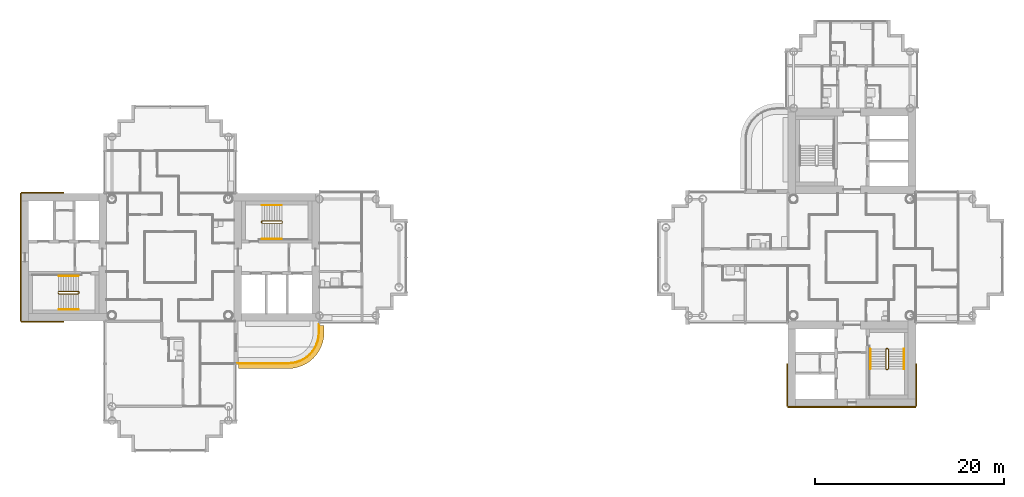
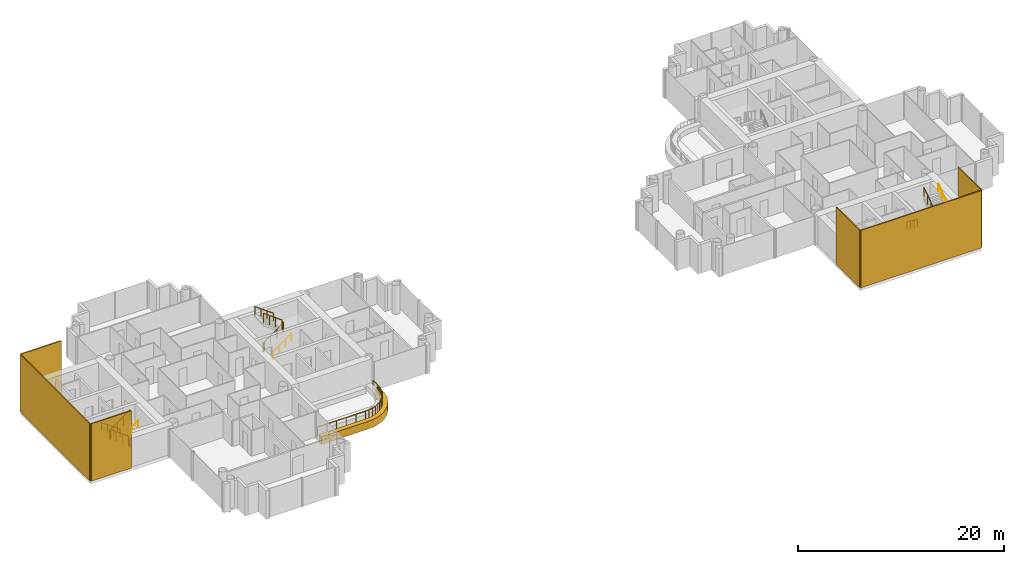
# One storey, part 18 of 20: 10 railings, 7 coverings.
"""IFC4 building model written with IfcOpenShell, lengths in metres."""

from ifc_helpers import new_model, si_unit, direction, frame, origin, origin_2d, place, context, subcontext, project, spatial, polyline, rectangle, circle, outline, extrude, material, layer, layer_set, type_object, element, save


model = new_model("IFC4")

# Units and contexts
model_context = context("Model", 3, precision=1e-05, world=origin(), true_north=direction((0.0, 1.0)))
body_context = subcontext(model_context, "Body", "Model", "MODEL_VIEW")
ifc_project = project(units=[si_unit("LENGTHUNIT", "METRE"), si_unit("AREAUNIT", "SQUARE_METRE"), si_unit("VOLUMEUNIT", "CUBIC_METRE"), si_unit("PLANEANGLEUNIT", "RADIAN"), si_unit("MASSUNIT", "GRAM", prefix="KILO")], contexts=[model_context])

# Site, building, storey
site_placement = place(None, origin())
site = spatial("IfcSite", under=ifc_project, at=site_placement, CompositionType="ELEMENT")
building_placement = place(site_placement, origin())
building = spatial("IfcBuilding", under=site, at=building_placement, Name="Ipe Terrace Towers", CompositionType="ELEMENT")
storey_placement = place(building_placement, frame((0.0, 0.0, 167.699951171875)))
storey = spatial("IfcBuildingStorey", under=building, at=storey_placement, Name="L46", CompositionType="ELEMENT", Elevation=167.699951171875)

# Railing
ifc_material_1 = material(Name="Stainless steel S316", Category="steel")
railing_type_1 = type_object("IfcRailingType", Name="GUARD 1100", PredefinedType="BALUSTRADE", material=ifc_material_1)
railing_1_placement = place(storey_placement, frame((-28.929931640625, -11.199951171875, -0.02001953125)))
element("IfcRailing", 1, at=railing_1_placement, inside=storey, type_object=railing_type_1, Name="guard", PredefinedType="BALUSTRADE", context=body_context, shape_type="SweptSolid", body=[
    extrude(circle(Radius=0.02392578125, at=origin_2d()), frame((0.0, 0.0, 1.076171875), z_axis=(1.0, 0.0, 0.0), x_axis=(0.0, 1.0, 0.0)), (0.0, 0.0, 1.0), 5.3779296875),
    extrude(circle(Radius=0.02392578125, at=origin_2d()), frame((5.3779296875, 0.0, 1.076171875), z_axis=(0.997872833927, 0.065190546171, 0.0), x_axis=(-0.065190546171, 0.997872833927, 0.0)), (0.0, 0.0, 1.0), 0.427001953125),
    extrude(circle(Radius=0.02392578125, at=origin_2d()), frame((5.803955078125, 0.02783203125, 1.076171875), z_axis=(0.980756958892, 0.195232649896, 0.0), x_axis=(-0.195232649896, 0.980756958892, 0.0)), (0.0, 0.0, 1.0), 0.42529296875),
    extrude(circle(Radius=0.02392578125, at=origin_2d()), frame((6.220947265625, 0.11083984375, 1.076171875), z_axis=(0.947355280148, 0.320184280026, 0.0), x_axis=(-0.320184280026, 0.947355280148, 0.0)), (0.0, 0.0, 1.0), 0.425537109375),
    extrude(circle(Radius=0.02392578125, at=origin_2d()), frame((6.6240234375, 0.2470703125, 1.076171875), z_axis=(0.895801099535, 0.444455160923, 0.0), x_axis=(-0.444455160923, 0.895801099535, 0.0)), (0.0, 0.0, 1.0), 0.425048828125),
    extrude(circle(Radius=0.02392578125, at=origin_2d()), frame((7.0048828125, 0.43603515625, 1.076171875), z_axis=(0.83151910003, 0.55549616226, 0.0), x_axis=(-0.55549616226, 0.83151910003, 0.0)), (0.0, 0.0, 1.0), 0.424560546875),
    extrude(circle(Radius=0.02392578125, at=origin_2d()), frame((7.35791015625, 0.671875, 1.076171875), z_axis=(0.752612255774, 0.658463964434, 0.0), x_axis=(-0.658463964434, 0.752612255774, 0.0)), (0.0, 0.0, 1.0), 0.42529296875),
    extrude(circle(Radius=0.02392578125, at=origin_2d()), frame((7.677978515625, 0.951904296875, 1.076171875), z_axis=(0.658463964434, 0.752612255774, 0.0), x_axis=(-0.752612255774, 0.658463964434, 0.0)), (0.0, 0.0, 1.0), 0.42529296875),
    extrude(circle(Radius=0.02392578125, at=origin_2d()), frame((7.9580078125, 1.27197265625, 1.076171875), z_axis=(0.55549616226, 0.83151910003, 0.0), x_axis=(-0.83151910003, 0.55549616226, 0.0)), (0.0, 0.0, 1.0), 0.424560546875),
    extrude(circle(Radius=0.02392578125, at=origin_2d()), frame((8.19384765625, 1.625, 1.076171875), z_axis=(0.444455160923, 0.895801099535, 0.0), x_axis=(-0.895801099535, 0.444455160923, 0.0)), (0.0, 0.0, 1.0), 0.425048828125),
    extrude(circle(Radius=0.02392578125, at=origin_2d()), frame((8.3828125, 2.005859375, 1.076171875), z_axis=(0.320184280026, 0.947355280148, 0.0), x_axis=(-0.947355280148, 0.320184280026, 0.0)), (0.0, 0.0, 1.0), 0.425537109375),
    extrude(circle(Radius=0.02392578125, at=origin_2d()), frame((8.51904296875, 2.408935546875, 1.076171875), z_axis=(0.195232649896, 0.980756958892, 0.0), x_axis=(-0.980756958892, 0.195232649896, 0.0)), (0.0, 0.0, 1.0), 0.42529296875),
    extrude(circle(Radius=0.02392578125, at=origin_2d()), frame((8.60205078125, 2.825927734375, 1.076171875), z_axis=(0.065190546171, 0.997872833927, 0.0), x_axis=(-0.997872833927, 0.065190546171, 0.0)), (0.0, 0.0, 1.0), 0.427001953125),
    extrude(circle(Radius=0.02392578125, at=origin_2d()), frame((8.6298828125, 3.251953125, 1.076171875), z_axis=(0.0, 1.0, 0.0), x_axis=(-1.0, 0.0, 0.0)), (0.0, 0.0, 1.0), 0.8779296875),
    extrude(circle(Radius=0.02099609375, at=origin_2d()), origin(), (0.0, 0.0, 1.0), 1.052001953125),
    extrude(circle(Radius=0.02099609375, at=origin_2d()), frame((1.07568359375, 0.0, 0.0)), (0.0, 0.0, 1.0), 1.052001953125),
    extrude(circle(Radius=0.02099609375, at=origin_2d()), frame((2.151123046875, 0.0, 0.0)), (0.0, 0.0, 1.0), 1.052001953125),
    extrude(circle(Radius=0.02099609375, at=origin_2d()), frame((3.226806640625, 0.0, 0.0)), (0.0, 0.0, 1.0), 1.052001953125),
    extrude(circle(Radius=0.02099609375, at=origin_2d()), frame((4.30224609375, 0.0, 0.0)), (0.0, 0.0, 1.0), 1.052001953125),
    extrude(circle(Radius=0.02099609375, at=origin_2d()), frame((5.3779296875, 0.0, 0.0)), (0.0, 0.0, 1.0), 1.052001953125),
    extrude(circle(Radius=0.02099609375, at=origin_2d()), frame((5.803955078125, 0.02783203125, 0.0)), (0.0, 0.0, 1.0), 1.052001953125),
    extrude(circle(Radius=0.02099609375, at=origin_2d()), frame((6.220947265625, 0.11083984375, 0.0)), (0.0, 0.0, 1.0), 1.052001953125),
    extrude(circle(Radius=0.02099609375, at=origin_2d()), frame((6.6240234375, 0.2470703125, 0.0)), (0.0, 0.0, 1.0), 1.052001953125),
    extrude(circle(Radius=0.02099609375, at=origin_2d()), frame((7.0048828125, 0.43603515625, 0.0)), (0.0, 0.0, 1.0), 1.052001953125),
    extrude(circle(Radius=0.02099609375, at=origin_2d()), frame((7.35791015625, 0.671875, 0.0)), (0.0, 0.0, 1.0), 1.052001953125),
    extrude(circle(Radius=0.02099609375, at=origin_2d()), frame((7.677978515625, 0.951904296875, 0.0)), (0.0, 0.0, 1.0), 1.052001953125),
    extrude(circle(Radius=0.02099609375, at=origin_2d()), frame((7.9580078125, 1.27197265625, 0.0)), (0.0, 0.0, 1.0), 1.052001953125),
    extrude(circle(Radius=0.02099609375, at=origin_2d()), frame((8.19384765625, 1.625, 0.0)), (0.0, 0.0, 1.0), 1.052001953125),
    extrude(circle(Radius=0.02099609375, at=origin_2d()), frame((8.3828125, 2.005859375, 0.0)), (0.0, 0.0, 1.0), 1.052001953125),
    extrude(circle(Radius=0.02099609375, at=origin_2d()), frame((8.51904296875, 2.408935546875, 0.0)), (0.0, 0.0, 1.0), 1.052001953125),
    extrude(circle(Radius=0.02099609375, at=origin_2d()), frame((8.60205078125, 2.825927734375, 0.0)), (0.0, 0.0, 1.0), 1.052001953125),
    extrude(circle(Radius=0.02099609375, at=origin_2d()), frame((8.6298828125, 3.251953125, 0.0)), (0.0, 0.0, 1.0), 1.052001953125),
    extrude(circle(Radius=0.02099609375, at=origin_2d()), frame((8.6298828125, 4.1298828125, 0.0)), (0.0, 0.0, 1.0), 1.052001953125),
])

# Coverings
ifc_material_2 = material(Name="Concrete C50/60 precast, buff finish", Category="concrete")
ifc_layer_1 = layer(ifc_material_2, 0.1201171875)
ifc_layer_set_1 = layer_set([ifc_layer_1], Name="STONE CORE CLADDING 120")
covering_type_1 = type_object("IfcCoveringType", Name="STONE CORE CLADDING 120", PredefinedType="CLADDING", material=ifc_layer_set_1)
covering_1_placement = place(storey_placement, frame((-49.5, -6.81005859375, 0.0), z_axis=(0.0, 0.0, 1.0), x_axis=(1.0, 0.0, 0.0)))
element("IfcCovering", 2, at=covering_1_placement, inside=storey, type_object=covering_type_1, Name="stone core cladding", PredefinedType="CLADDING", context=body_context, shape_type="SweptSolid", body=[
    extrude(rectangle(XDim=4.5, YDim=0.1201171875, at=origin_2d()), origin(), (0.0, 0.0, 1.0), 6.800048828125),
])
covering_2_placement = place(storey_placement, frame((-51.81005859375, 0.0, 0.0), z_axis=(0.0, 0.0, 1.0), x_axis=(0.0, -1.0, 0.0)))
element("IfcCovering", 3, at=covering_2_placement, inside=storey, type_object=covering_type_1, Name="stone core cladding", PredefinedType="CLADDING", context=body_context, shape_type="SweptSolid", body=[
    extrude(rectangle(XDim=13.5, YDim=0.1201171875, at=origin_2d()), origin(), (0.0, 0.0, 1.0), 6.800048828125),
])
covering_3_placement = place(storey_placement, frame((-49.5, 6.81005859375, 0.0), z_axis=(0.0, 0.0, 1.0), x_axis=(-1.0, 0.0, 0.0)))
element("IfcCovering", 4, at=covering_3_placement, inside=storey, type_object=covering_type_1, Name="stone core cladding", PredefinedType="CLADDING", context=body_context, shape_type="SweptSolid", body=[
    extrude(rectangle(XDim=4.5, YDim=0.1201171875, at=origin_2d()), origin(), (0.0, 0.0, 1.0), 6.800048828125),
])
covering_4_placement = place(storey_placement, frame((36.0, -15.81005859375, 0.0), z_axis=(0.0, 0.0, 1.0), x_axis=(1.0, 0.0, 0.0)))
element("IfcCovering", 5, at=covering_4_placement, inside=storey, type_object=covering_type_1, Name="stone core cladding", PredefinedType="CLADDING", context=body_context, shape_type="SweptSolid", body=[
    extrude(rectangle(XDim=13.5, YDim=0.1201171875, at=origin_2d()), origin(), (0.0, 0.0, 1.0), 6.800048828125),
])
for number, where, z_axis, x_axis, name in (
    (6, (29.18994140625, -13.5, 0.0), (0.0, 0.0, 1.0), (0.0, -1.0, 0.0), "stone core cladding"),
    (7, (42.81005859375, -13.5, 0.0), (0.0, 0.0, 1.0), (0.0, 1.0, 0.0), "stone core cladding"),
):
    element("IfcCovering", number, at=place(storey_placement, frame(where, z_axis=z_axis, x_axis=x_axis)), inside=storey, type_object=covering_type_1, Name=name, PredefinedType="CLADDING", context=body_context, shape_type="SweptSolid", body=[
        extrude(rectangle(XDim=4.5, YDim=0.1201171875, at=origin_2d()), origin(), (0.0, 0.0, 1.0), 6.800048828125),
    ])
ifc_material_3 = material(Name="Concrete C50/60 precast, buff finish", Category="concrete")
ifc_layer_2 = layer(ifc_material_3, 0.5)
ifc_layer_set_2 = layer_set([ifc_layer_2], Name="STONE EDGE BAND 500 x 900")
covering_type_2 = type_object("IfcCoveringType", Name="STONE EDGE BAND 500 x 900", PredefinedType="CLADDING", material=ifc_layer_set_2)
covering_5_placement = place(storey_placement, frame((0.0, 0.0, -0.719970703125)))
element("IfcCovering", 8, at=covering_5_placement, inside=storey, type_object=covering_type_2, Name="stone edge band", PredefinedType="CLADDING", context=body_context, shape_type="SweptSolid", body=[
    extrude(outline(polyline([(-23.550048828125, -11.75), (-23.51708984375, -11.7490234375), (-23.0869140625, -11.720947265625), (-23.02197265625, -11.7119140625), (-22.597900390625, -11.6279296875), (-22.534912109375, -11.611083984375), (-22.1259765625, -11.471923828125), (-22.06591796875, -11.447021484375), (-21.678955078125, -11.256103515625), (-21.6220703125, -11.22412109375), (-21.262939453125, -10.98388671875), (-21.2109375, -10.944091796875), (-20.886962890625, -10.658935546875), (-20.841064453125, -10.613037109375), (-20.555908203125, -10.2890625), (-20.51611328125, -10.237060546875), (-20.27587890625, -9.8779296875), (-20.243896484375, -9.821044921875), (-20.052978515625, -9.43408203125), (-20.028076171875, -9.3740234375), (-19.888916015625, -8.965087890625), (-19.8720703125, -8.902099609375), (-19.7880859375, -8.47802734375), (-19.779052734375, -8.4130859375), (-19.7509765625, -7.98291015625), (-19.75, -7.949951171875), (-19.75, -7.199951171875), (-20.25, -7.199951171875), (-20.25, -7.949951171875), (-20.278076171875, -8.381103515625), (-20.362060546875, -8.803955078125), (-20.5009765625, -9.212890625), (-20.69189453125, -9.60009765625), (-20.931884765625, -9.958984375), (-21.217041015625, -10.282958984375), (-21.541015625, -10.568115234375), (-21.89990234375, -10.80810546875), (-22.287109375, -10.9990234375), (-22.696044921875, -11.137939453125), (-23.118896484375, -11.221923828125), (-23.550048828125, -11.25), (-28.800048828125, -11.25), (-28.800048828125, -11.75), (-23.550048828125, -11.75)])), origin(), (0.0, 0.0, 1.0), 0.89990234375),
])

# Railings
ifc_material_4 = material(Name="Steel S355", Category="steel")
railing_type_2 = type_object("IfcRailingType", Name="Stair guard 1100", PredefinedType="GUARDRAIL", material=ifc_material_4)
railing_2_placement = place(storey_placement, frame((-26.35009765625, 3.800048828125, 0.0)))
element("IfcRailing", 9, at=railing_2_placement, inside=storey, type_object=railing_type_2, Name="L46 T1-ST1 stair guard 1", PredefinedType="GUARDRAIL", context=body_context, shape_type="SweptSolid", body=[
    extrude(circle(Radius=0.02392578125, at=origin_2d()), frame((0.0, 0.0, 1.076171875), z_axis=(0.0, -1.0, 0.0), x_axis=(1.0, 0.0, 0.0)), (0.0, 0.0, 1.0), 0.150146484375),
    extrude(circle(Radius=0.02392578125, at=origin_2d()), frame((0.0, -0.150146484375, 1.076171875), z_axis=(0.248103849378, -0.246893586699, 0.936743314239), x_axis=(0.705375805398, 0.708833529934, 0.0)), (0.0, 0.0, 1.0), 0.20166015625),
    extrude(circle(Radius=0.02392578125, at=origin_2d()), frame((0.050048828125, -0.199951171875, 1.26513671875), z_axis=(0.809068575486, 0.0, 0.587714250432), x_axis=(0.0, 1.0, 0.0)), (0.0, 0.0, 1.0), 2.571044921875),
    extrude(circle(Radius=0.02392578125, at=origin_2d()), frame((2.130126953125, -0.199951171875, 2.77587890625), z_axis=(0.708833529934, 0.705375805398, 0.0), x_axis=(-0.705375805398, 0.708833529934, 0.0)), (0.0, 0.0, 1.0), 0.070556640625),
    extrude(circle(Radius=0.02392578125, at=origin_2d()), frame((2.18017578125, -0.150146484375, 2.77587890625), z_axis=(0.0, 1.0, 0.0), x_axis=(-1.0, 0.0, 0.0)), (0.0, 0.0, 1.0), 0.150146484375),
    extrude(circle(Radius=0.02392578125, at=origin_2d()), frame((2.18017578125, 0.0, 2.77587890625), z_axis=(-0.248029566107, 0.248029566107, 0.936462849596), x_axis=(-0.707106781187, -0.707106781187, 0.0)), (0.0, 0.0, 1.0), 0.201904296875),
    extrude(circle(Radius=0.02392578125, at=origin_2d()), frame((2.130126953125, 0.050048828125, 2.96484375), z_axis=(-0.809023421508, 0.0, 0.587776406001), x_axis=(0.0, -1.0, 0.0)), (0.0, 0.0, 1.0), 2.571044921875),
    extrude(circle(Radius=0.02099609375, at=origin_2d()), origin(), (0.0, 0.0, 1.0), 1.052001953125),
    extrude(circle(Radius=0.02099609375, at=origin_2d()), frame((0.0, -0.150146484375, 0.0)), (0.0, 0.0, 1.0), 1.052001953125),
    extrude(circle(Radius=0.02099609375, at=origin_2d()), frame((0.050048828125, -0.199951171875, 0.18896484375)), (0.0, 0.0, 1.0), 1.052001953125),
    extrude(circle(Radius=0.02099609375, at=origin_2d()), frame((0.743408203125, -0.199951171875, 0.692626953125)), (0.0, 0.0, 1.0), 1.052001953125),
    extrude(circle(Radius=0.02099609375, at=origin_2d()), frame((1.436767578125, -0.199951171875, 1.1962890625)), (0.0, 0.0, 1.0), 1.052001953125),
    extrude(circle(Radius=0.02099609375, at=origin_2d()), frame((2.130126953125, -0.199951171875, 1.699951171875)), (0.0, 0.0, 1.0), 1.052001953125),
    extrude(circle(Radius=0.02099609375, at=origin_2d()), frame((2.18017578125, -0.150146484375, 1.699951171875)), (0.0, 0.0, 1.0), 1.052001953125),
    extrude(circle(Radius=0.02099609375, at=origin_2d()), frame((2.18017578125, 0.0, 1.699951171875)), (0.0, 0.0, 1.0), 1.052001953125),
    extrude(circle(Radius=0.02099609375, at=origin_2d()), frame((2.130126953125, 0.050048828125, 1.888916015625)), (0.0, 0.0, 1.0), 1.052001953125),
    extrude(circle(Radius=0.02099609375, at=origin_2d()), frame((1.436767578125, 0.050048828125, 2.392578125)), (0.0, 0.0, 1.0), 1.052001953125),
    extrude(circle(Radius=0.02099609375, at=origin_2d()), frame((0.743408203125, 0.050048828125, 2.896484375)), (0.0, 0.0, 1.0), 1.052001953125),
    extrude(circle(Radius=0.02099609375, at=origin_2d()), frame((0.050048828125, 0.050048828125, 3.400146484375)), (0.0, 0.0, 1.0), 1.052001953125),
])
railing_3_placement = place(storey_placement, frame((-45.64990234375, -3.800048828125, 0.0)))
element("IfcRailing", 10, at=railing_3_placement, inside=storey, type_object=railing_type_2, Name="L46 T1-ST2 stair guard 1", PredefinedType="GUARDRAIL", context=body_context, shape_type="SweptSolid", body=[
    extrude(circle(Radius=0.02392578125, at=origin_2d()), frame((0.0, 0.0, 1.076171875), z_axis=(0.0, 1.0, 0.0), x_axis=(-1.0, 0.0, 0.0)), (0.0, 0.0, 1.0), 0.150146484375),
    extrude(circle(Radius=0.02392578125, at=origin_2d()), frame((0.0, 0.150146484375, 1.076171875), z_axis=(-0.248103849378, 0.246893586699, 0.936743314239), x_axis=(-0.705375805398, -0.708833529934, 0.0)), (0.0, 0.0, 1.0), 0.20166015625),
    extrude(circle(Radius=0.02392578125, at=origin_2d()), frame((-0.050048828125, 0.199951171875, 1.26513671875), z_axis=(-0.809068575486, 0.0, 0.587714250432), x_axis=(0.0, -1.0, 0.0)), (0.0, 0.0, 1.0), 2.571044921875),
    extrude(circle(Radius=0.02392578125, at=origin_2d()), frame((-2.130126953125, 0.199951171875, 2.77587890625), z_axis=(-0.708833529934, -0.705375805398, 0.0), x_axis=(0.705375805398, -0.708833529934, 0.0)), (0.0, 0.0, 1.0), 0.070556640625),
    extrude(circle(Radius=0.02392578125, at=origin_2d()), frame((-2.18017578125, 0.150146484375, 2.77587890625), z_axis=(0.0, -1.0, 0.0), x_axis=(1.0, 0.0, 0.0)), (0.0, 0.0, 1.0), 0.150146484375),
    extrude(circle(Radius=0.02392578125, at=origin_2d()), frame((-2.18017578125, 0.0, 2.77587890625), z_axis=(0.248029566107, -0.248029566107, 0.936462849596), x_axis=(0.707106781187, 0.707106781187, 0.0)), (0.0, 0.0, 1.0), 0.201904296875),
    extrude(circle(Radius=0.02392578125, at=origin_2d()), frame((-2.130126953125, -0.050048828125, 2.96484375), z_axis=(0.809023421508, 0.0, 0.587776406001), x_axis=(0.0, 1.0, 0.0)), (0.0, 0.0, 1.0), 2.571044921875),
    extrude(circle(Radius=0.02099609375, at=origin_2d()), origin(), (0.0, 0.0, 1.0), 1.052001953125),
    extrude(circle(Radius=0.02099609375, at=origin_2d()), frame((0.0, 0.150146484375, 0.0)), (0.0, 0.0, 1.0), 1.052001953125),
    extrude(circle(Radius=0.02099609375, at=origin_2d()), frame((-0.050048828125, 0.199951171875, 0.18896484375)), (0.0, 0.0, 1.0), 1.052001953125),
    extrude(circle(Radius=0.02099609375, at=origin_2d()), frame((-0.743408203125, 0.199951171875, 0.692626953125)), (0.0, 0.0, 1.0), 1.052001953125),
    extrude(circle(Radius=0.02099609375, at=origin_2d()), frame((-1.436767578125, 0.199951171875, 1.1962890625)), (0.0, 0.0, 1.0), 1.052001953125),
    extrude(circle(Radius=0.02099609375, at=origin_2d()), frame((-2.130126953125, 0.199951171875, 1.699951171875)), (0.0, 0.0, 1.0), 1.052001953125),
    extrude(circle(Radius=0.02099609375, at=origin_2d()), frame((-2.18017578125, 0.150146484375, 1.699951171875)), (0.0, 0.0, 1.0), 1.052001953125),
    extrude(circle(Radius=0.02099609375, at=origin_2d()), frame((-2.18017578125, 0.0, 1.699951171875)), (0.0, 0.0, 1.0), 1.052001953125),
    extrude(circle(Radius=0.02099609375, at=origin_2d()), frame((-2.130126953125, -0.050048828125, 1.888916015625)), (0.0, 0.0, 1.0), 1.052001953125),
    extrude(circle(Radius=0.02099609375, at=origin_2d()), frame((-1.436767578125, -0.050048828125, 2.392578125)), (0.0, 0.0, 1.0), 1.052001953125),
    extrude(circle(Radius=0.02099609375, at=origin_2d()), frame((-0.743408203125, -0.050048828125, 2.896484375)), (0.0, 0.0, 1.0), 1.052001953125),
    extrude(circle(Radius=0.02099609375, at=origin_2d()), frame((-0.050048828125, -0.050048828125, 3.400146484375)), (0.0, 0.0, 1.0), 1.052001953125),
])
railing_4_placement = place(storey_placement, frame((39.800048828125, -9.64990234375, 0.0)))
element("IfcRailing", 11, at=railing_4_placement, inside=storey, type_object=railing_type_2, Name="L46 T2-ST2 stair guard 1", PredefinedType="GUARDRAIL", context=body_context, shape_type="SweptSolid", body=[
    extrude(circle(Radius=0.02392578125, at=origin_2d()), frame((0.0, 0.0, 1.076171875), z_axis=(-1.0, 0.0, 0.0), x_axis=(0.0, -1.0, 0.0)), (0.0, 0.0, 1.0), 0.150146484375),
    extrude(circle(Radius=0.02392578125, at=origin_2d()), frame((-0.150146484375, 0.0, 1.076171875), z_axis=(-0.246893586699, -0.248103849378, 0.936743314239), x_axis=(0.708833529934, -0.705375805398, 0.0)), (0.0, 0.0, 1.0), 0.20166015625),
    extrude(circle(Radius=0.02392578125, at=origin_2d()), frame((-0.199951171875, -0.050048828125, 1.26513671875), z_axis=(0.0, -0.809068575486, 0.587714250432), x_axis=(1.0, 0.0, 0.0)), (0.0, 0.0, 1.0), 2.571044921875),
    extrude(circle(Radius=0.02392578125, at=origin_2d()), frame((-0.199951171875, -2.130126953125, 2.77587890625), z_axis=(0.705375805398, -0.708833529934, 0.0), x_axis=(0.708833529934, 0.705375805398, 0.0)), (0.0, 0.0, 1.0), 0.070556640625),
    extrude(circle(Radius=0.02392578125, at=origin_2d()), frame((-0.150146484375, -2.18017578125, 2.77587890625), z_axis=(1.0, 0.0, 0.0), x_axis=(0.0, 1.0, 0.0)), (0.0, 0.0, 1.0), 0.150146484375),
    extrude(circle(Radius=0.02392578125, at=origin_2d()), frame((0.0, -2.18017578125, 2.77587890625), z_axis=(0.248029566107, 0.248029566107, 0.936462849596), x_axis=(-0.707106781187, 0.707106781187, 0.0)), (0.0, 0.0, 1.0), 0.201904296875),
    extrude(circle(Radius=0.02392578125, at=origin_2d()), frame((0.050048828125, -2.130126953125, 2.96484375), z_axis=(0.0, 0.809023421508, 0.587776406001), x_axis=(-1.0, 0.0, 0.0)), (0.0, 0.0, 1.0), 2.571044921875),
    extrude(circle(Radius=0.02099609375, at=origin_2d()), origin(), (0.0, 0.0, 1.0), 1.052001953125),
    extrude(circle(Radius=0.02099609375, at=origin_2d()), frame((-0.150146484375, 0.0, 0.0)), (0.0, 0.0, 1.0), 1.052001953125),
    extrude(circle(Radius=0.02099609375, at=origin_2d()), frame((-0.199951171875, -0.050048828125, 0.18896484375)), (0.0, 0.0, 1.0), 1.052001953125),
    extrude(circle(Radius=0.02099609375, at=origin_2d()), frame((-0.199951171875, -0.743408203125, 0.692626953125)), (0.0, 0.0, 1.0), 1.052001953125),
    extrude(circle(Radius=0.02099609375, at=origin_2d()), frame((-0.199951171875, -1.436767578125, 1.1962890625)), (0.0, 0.0, 1.0), 1.052001953125),
    extrude(circle(Radius=0.02099609375, at=origin_2d()), frame((-0.199951171875, -2.130126953125, 1.699951171875)), (0.0, 0.0, 1.0), 1.052001953125),
    extrude(circle(Radius=0.02099609375, at=origin_2d()), frame((-0.150146484375, -2.18017578125, 1.699951171875)), (0.0, 0.0, 1.0), 1.052001953125),
    extrude(circle(Radius=0.02099609375, at=origin_2d()), frame((0.0, -2.18017578125, 1.699951171875)), (0.0, 0.0, 1.0), 1.052001953125),
    extrude(circle(Radius=0.02099609375, at=origin_2d()), frame((0.050048828125, -2.130126953125, 1.888916015625)), (0.0, 0.0, 1.0), 1.052001953125),
    extrude(circle(Radius=0.02099609375, at=origin_2d()), frame((0.050048828125, -1.436767578125, 2.392578125)), (0.0, 0.0, 1.0), 1.052001953125),
    extrude(circle(Radius=0.02099609375, at=origin_2d()), frame((0.050048828125, -0.743408203125, 2.896484375)), (0.0, 0.0, 1.0), 1.052001953125),
    extrude(circle(Radius=0.02099609375, at=origin_2d()), frame((0.050048828125, -0.050048828125, 3.400146484375)), (0.0, 0.0, 1.0), 1.052001953125),
])
ifc_material_5 = material(Name="Stainless steel grade 304", Category="steel")
railing_type_3 = type_object("IfcRailingType", Name="Stair handrail 900", PredefinedType="HANDRAIL", material=ifc_material_5)
railing_5_placement = place(storey_placement, frame((-26.300048828125, 1.949951171875, 0.18896484375)))
element("IfcRailing", 12, at=railing_5_placement, inside=storey, type_object=railing_type_3, Name="L46 T1-ST1 stair handrail 1", PredefinedType="HANDRAIL", context=body_context, shape_type="SweptSolid", body=[
    extrude(circle(Radius=0.02392578125, at=origin_2d()), frame((0.0, 0.0, 0.8759765625), z_axis=(0.809068575486, 0.0, 0.587714250432), x_axis=(0.0, 1.0, 0.0)), (0.0, 0.0, 1.0), 2.571044921875),
    extrude(circle(Radius=0.02099609375, at=origin_2d()), origin(), (0.0, 0.0, 1.0), 0.851806640625),
    extrude(circle(Radius=0.02099609375, at=origin_2d()), frame((0.693359375, 0.0, 0.503662109375)), (0.0, 0.0, 1.0), 0.851806640625),
    extrude(circle(Radius=0.02099609375, at=origin_2d()), frame((1.38671875, 0.0, 1.00732421875)), (0.0, 0.0, 1.0), 0.851806640625),
    extrude(circle(Radius=0.02099609375, at=origin_2d()), frame((2.080078125, 0.0, 1.510986328125)), (0.0, 0.0, 1.0), 0.851806640625),
])
railing_6_placement = place(storey_placement, frame((-24.219970703125, 5.5, 1.888916015625)))
element("IfcRailing", 13, at=railing_6_placement, inside=storey, type_object=railing_type_3, Name="L46 T1-ST1 stair handrail 2", PredefinedType="HANDRAIL", context=body_context, shape_type="SweptSolid", body=[
    extrude(circle(Radius=0.02392578125, at=origin_2d()), frame((0.0, 0.0, 0.8759765625), z_axis=(-0.809023421508, 0.0, 0.587776406001), x_axis=(0.0, -1.0, 0.0)), (0.0, 0.0, 1.0), 2.571044921875),
    extrude(circle(Radius=0.02099609375, at=origin_2d()), origin(), (0.0, 0.0, 1.0), 0.851806640625),
    extrude(circle(Radius=0.02099609375, at=origin_2d()), frame((-0.693359375, 0.0, 0.503662109375)), (0.0, 0.0, 1.0), 0.851806640625),
    extrude(circle(Radius=0.02099609375, at=origin_2d()), frame((-1.38671875, 0.0, 1.007568359375)), (0.0, 0.0, 1.0), 0.851806640625),
    extrude(circle(Radius=0.02099609375, at=origin_2d()), frame((-2.080078125, 0.0, 1.51123046875)), (0.0, 0.0, 1.0), 0.851806640625),
])
railing_7_placement = place(storey_placement, frame((-45.699951171875, -1.949951171875, 0.18896484375)))
element("IfcRailing", 14, at=railing_7_placement, inside=storey, type_object=railing_type_3, Name="L46 T1-ST2 stair handrail 1", PredefinedType="HANDRAIL", context=body_context, shape_type="SweptSolid", body=[
    extrude(circle(Radius=0.02392578125, at=origin_2d()), frame((0.0, 0.0, 0.8759765625), z_axis=(-0.809068575486, 0.0, 0.587714250432), x_axis=(0.0, -1.0, 0.0)), (0.0, 0.0, 1.0), 2.571044921875),
    extrude(circle(Radius=0.02099609375, at=origin_2d()), origin(), (0.0, 0.0, 1.0), 0.851806640625),
    extrude(circle(Radius=0.02099609375, at=origin_2d()), frame((-0.693359375, 0.0, 0.503662109375)), (0.0, 0.0, 1.0), 0.851806640625),
    extrude(circle(Radius=0.02099609375, at=origin_2d()), frame((-1.38671875, 0.0, 1.00732421875)), (0.0, 0.0, 1.0), 0.851806640625),
    extrude(circle(Radius=0.02099609375, at=origin_2d()), frame((-2.080078125, 0.0, 1.510986328125)), (0.0, 0.0, 1.0), 0.851806640625),
])
railing_8_placement = place(storey_placement, frame((-47.780029296875, -5.5, 1.888916015625)))
element("IfcRailing", 15, at=railing_8_placement, inside=storey, type_object=railing_type_3, Name="L46 T1-ST2 stair handrail 2", PredefinedType="HANDRAIL", context=body_context, shape_type="SweptSolid", body=[
    extrude(circle(Radius=0.02392578125, at=origin_2d()), frame((0.0, 0.0, 0.8759765625), z_axis=(0.809023421508, 0.0, 0.587776406001), x_axis=(0.0, 1.0, 0.0)), (0.0, 0.0, 1.0), 2.571044921875),
    extrude(circle(Radius=0.02099609375, at=origin_2d()), origin(), (0.0, 0.0, 1.0), 0.851806640625),
    extrude(circle(Radius=0.02099609375, at=origin_2d()), frame((0.693359375, 0.0, 0.503662109375)), (0.0, 0.0, 1.0), 0.851806640625),
    extrude(circle(Radius=0.02099609375, at=origin_2d()), frame((1.38671875, 0.0, 1.007568359375)), (0.0, 0.0, 1.0), 0.851806640625),
    extrude(circle(Radius=0.02099609375, at=origin_2d()), frame((2.080078125, 0.0, 1.51123046875)), (0.0, 0.0, 1.0), 0.851806640625),
])
railing_9_placement = place(storey_placement, frame((37.949951171875, -9.699951171875, 0.18896484375)))
element("IfcRailing", 16, at=railing_9_placement, inside=storey, type_object=railing_type_3, Name="L46 T2-ST2 stair handrail 1", PredefinedType="HANDRAIL", context=body_context, shape_type="SweptSolid", body=[
    extrude(circle(Radius=0.02392578125, at=origin_2d()), frame((0.0, 0.0, 0.8759765625), z_axis=(0.0, -0.809068575486, 0.587714250432), x_axis=(1.0, 0.0, 0.0)), (0.0, 0.0, 1.0), 2.571044921875),
    extrude(circle(Radius=0.02099609375, at=origin_2d()), origin(), (0.0, 0.0, 1.0), 0.851806640625),
    extrude(circle(Radius=0.02099609375, at=origin_2d()), frame((0.0, -0.693359375, 0.503662109375)), (0.0, 0.0, 1.0), 0.851806640625),
    extrude(circle(Radius=0.02099609375, at=origin_2d()), frame((0.0, -1.38671875, 1.00732421875)), (0.0, 0.0, 1.0), 0.851806640625),
    extrude(circle(Radius=0.02099609375, at=origin_2d()), frame((0.0, -2.080078125, 1.510986328125)), (0.0, 0.0, 1.0), 0.851806640625),
])
railing_10_placement = place(storey_placement, frame((41.5, -11.780029296875, 1.888916015625)))
element("IfcRailing", 17, at=railing_10_placement, inside=storey, type_object=railing_type_3, Name="L46 T2-ST2 stair handrail 2", PredefinedType="HANDRAIL", context=body_context, shape_type="SweptSolid", body=[
    extrude(circle(Radius=0.02392578125, at=origin_2d()), frame((0.0, 0.0, 0.8759765625), z_axis=(0.0, 0.809023421508, 0.587776406001), x_axis=(-1.0, 0.0, 0.0)), (0.0, 0.0, 1.0), 2.571044921875),
    extrude(circle(Radius=0.02099609375, at=origin_2d()), origin(), (0.0, 0.0, 1.0), 0.851806640625),
    extrude(circle(Radius=0.02099609375, at=origin_2d()), frame((0.0, 0.693359375, 0.503662109375)), (0.0, 0.0, 1.0), 0.851806640625),
    extrude(circle(Radius=0.02099609375, at=origin_2d()), frame((0.0, 1.38671875, 1.007568359375)), (0.0, 0.0, 1.0), 0.851806640625),
    extrude(circle(Radius=0.02099609375, at=origin_2d()), frame((0.0, 2.080078125, 1.51123046875)), (0.0, 0.0, 1.0), 0.851806640625),
])

save(model, "model.ifc")
